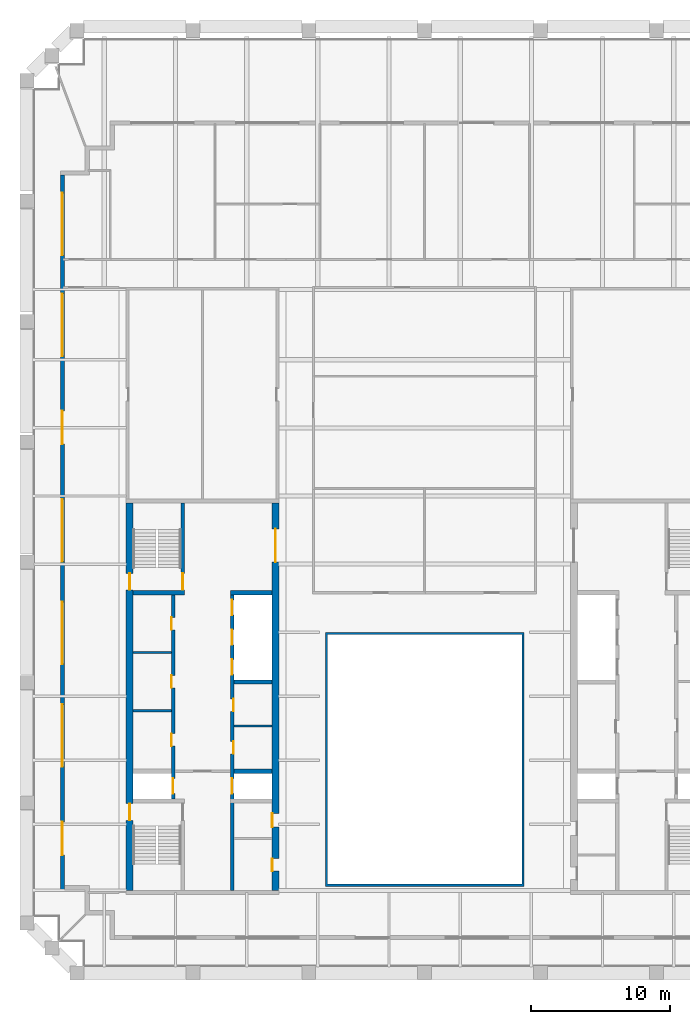
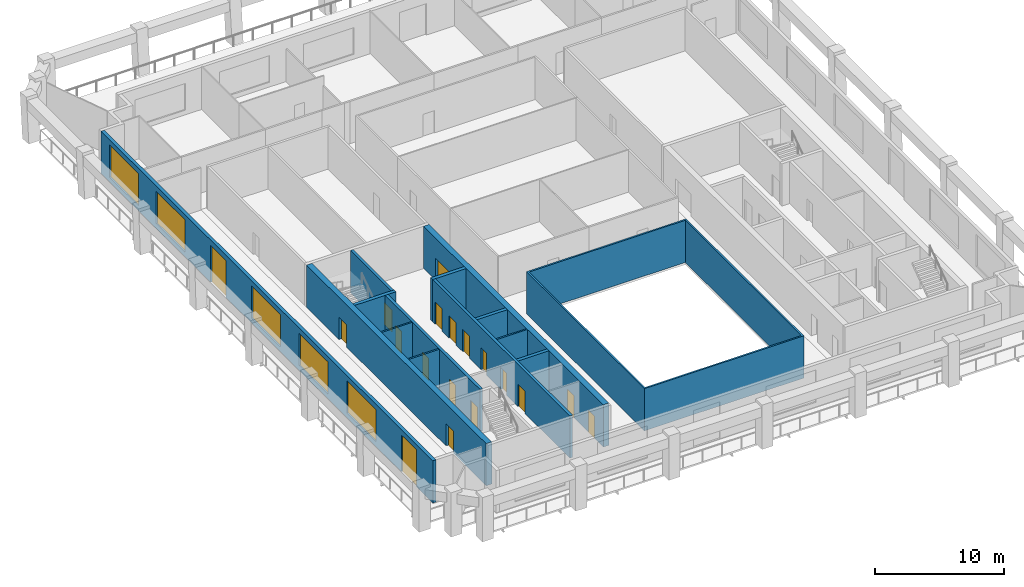
# One storey, part 3 of 9: 18 doors, 14 walls, 5 windows, 23 openings.
"""IFC4 building model written with IfcOpenShell, lengths in metres."""

from ifc_helpers import new_model, si_unit, direction, frame, frame_2d, origin, place, context, subcontext, project, spatial, polyline, rectangle, outline, extrude, material, layer, layer_set, type_object, element, fill, save


model = new_model("IFC4")

# Units and contexts
model_context = context("Model", 3, precision=1e-05, world=origin(), true_north=direction((0.0, 1.0)))
body_context = subcontext(model_context, "Body", "Model", "MODEL_VIEW")
ifc_project = project(units=[si_unit("LENGTHUNIT", "METRE"), si_unit("AREAUNIT", "SQUARE_METRE"), si_unit("VOLUMEUNIT", "CUBIC_METRE"), si_unit("PLANEANGLEUNIT", "RADIAN"), si_unit("MASSUNIT", "GRAM", prefix="KILO")], contexts=[model_context])

# Site, building, storey
site_placement = place(None, origin())
site = spatial("IfcSite", under=ifc_project, at=site_placement, CompositionType="ELEMENT")
building_placement = place(site_placement, origin())
building = spatial("IfcBuilding", under=site, at=building_placement, Name="Ogive Exchange Tower", CompositionType="ELEMENT")
storey_placement = place(building_placement, frame((0.0, 0.0, 346.800048828125)))
storey = spatial("IfcBuildingStorey", under=building, at=storey_placement, Name="L76", CompositionType="ELEMENT", Elevation=346.800048828125)

# Walls
ifc_material_1 = material(Name="Gypsum board partition")
ifc_layer_1 = layer(ifc_material_1, 0.14990234375)
ifc_layer_set_1 = layer_set([ifc_layer_1], Name="Core room partition 150 gypsum")
wall_type_1 = type_object("IfcWallType", Name="Core room partition 150 gypsum", PredefinedType="PARTITIONING", material=ifc_layer_set_1)
for number, where, z_axis, x_axis, name in (
    (1, (-21.0, 10.5, 0.0), (0.0, 0.0, 1.0), (1.0, 0.0, 0.0), "W row A bay partition 1-1"),
    (2, (-21.0, 14.699951171875, 0.0), (0.0, 0.0, 1.0), (1.0, 0.0, 0.0), "W row A bay partition 1-2"),
    (3, (-13.75, 9.39990234375, 0.0), (0.0, 0.0, 1.0), (1.0, 0.0, 0.0), "W row B bay partition 1-1"),
):
    element("IfcWall", number, at=place(storey_placement, frame(where, z_axis=z_axis, x_axis=x_axis)), inside=storey, type_object=wall_type_1, Name=name, PredefinedType="PARTITIONING", context=body_context, shape_type="SweptSolid", body=[
        extrude(rectangle(XDim=2.75, YDim=0.14990234375, at=frame_2d((1.375, 0.0))), origin(), (0.0, 0.0, 1.0), 4.0),
    ])
ifc_material_2 = material(Name="Fire-resisting glass in steel frame", Category="steel")
ifc_layer_2 = layer(ifc_material_2, 0.14990234375)
ifc_layer_set_2 = layer_set([ifc_layer_2], Name="Fire-rated glazed wall 150")
wall_type_2 = type_object("IfcWallType", Name="Fire-rated glazed wall 150", PredefinedType="STANDARD", material=ifc_layer_set_2)
wall_1_placement = place(storey_placement, origin())
element("IfcWall", 4, at=wall_1_placement, inside=storey, type_object=wall_type_2, Name="Nave enclosure wall", PredefinedType="STANDARD", context=body_context, shape_type="SweptSolid", body=[
    extrude(outline(polyline([(-7.14990234375, -2.14990234375), (7.14990234375, -2.14990234375), (7.14990234375, 16.14990234375), (-7.14990234375, 16.14990234375), (-7.14990234375, -2.14990234375)]), holes=[polyline([(-7.0, -2.0), (-7.0, 16.0), (7.0, 16.0), (7.0, -2.0), (-7.0, -2.0)])]), origin(), (0.0, 0.0, 1.0), 4.0),
])

# Wall, openings, doors, windows
ifc_material_3 = material(Name="Precast concrete C40/50", Category="concrete")
ifc_layer_3 = layer(ifc_material_3, 0.300048828125)
ifc_layer_set_3 = layer_set([ifc_layer_3], Name="Limestone-faced wall 300")
wall_type_3 = type_object("IfcWallType", Name="Limestone-faced wall 300", PredefinedType="STANDARD", material=ifc_layer_set_3)
wall_2_placement = place(storey_placement, frame((-26.10009765625, 49.10009765625, 0.0), z_axis=(0.0, 0.0, 1.0), x_axis=(0.0, -1.0, 0.0)))
wall_2 = element("IfcWall", 5, at=wall_2_placement, inside=storey, type_object=wall_type_3, Name="External wall W4", PredefinedType="STANDARD", context=body_context, shape_type="SweptSolid", body=[
    extrude(rectangle(XDim=51.5, YDim=0.300048828125, at=frame_2d((25.75, 0.0))), origin(), (0.0, 0.0, 1.0), 4.0),
])
opening_1_placement = place(wall_2_placement, frame((1.300048828125, 0.0, 0.449951171875)))
opening_1 = element("IfcOpeningElement", 6, at=opening_1_placement, cuts=wall_2, Name="Opening W1", PredefinedType="OPENING", context=body_context, shape_type="SweptSolid", body=[
    extrude(rectangle(XDim=4.5, YDim=3.050048828125, at=frame_2d((2.25, 1.52490234375))), frame((0.0, 0.159912109375, 0.0), z_axis=(0.0, -1.0, 0.0), x_axis=(1.0, 0.0, 0.0)), (0.0, 0.0, 1.0), 0.320068359375),
])
opening_2_placement = place(wall_2_placement, frame((8.550048828125, 0.0, 0.449951171875)))
opening_2 = element("IfcOpeningElement", 7, at=opening_2_placement, cuts=wall_2, Name="Opening W1", PredefinedType="OPENING", context=body_context, shape_type="SweptSolid", body=[
    extrude(rectangle(XDim=4.5, YDim=3.050048828125, at=frame_2d((2.25, 1.52490234375))), frame((0.0, 0.159912109375, 0.0), z_axis=(0.0, -1.0, 0.0), x_axis=(1.0, 0.0, 0.0)), (0.0, 0.0, 1.0), 0.320068359375),
])
opening_3_placement = place(wall_2_placement, frame((17.0, 0.0, 0.0)))
opening_3 = element("IfcOpeningElement", 8, at=opening_3_placement, cuts=wall_2, Name="Opening D1", PredefinedType="OPENING", context=body_context, shape_type="SweptSolid", body=[
    extrude(rectangle(XDim=2.39990234375, YDim=3.5, at=frame_2d((1.199951171875, 1.75))), frame((0.0, 0.159912109375, 0.0), z_axis=(0.0, -1.0, 0.0), x_axis=(1.0, 0.0, 0.0)), (0.0, 0.0, 1.0), 0.320068359375),
])
opening_4_placement = place(wall_2_placement, frame((23.35009765625, 0.0, 0.449951171875)))
opening_4 = element("IfcOpeningElement", 9, at=opening_4_placement, cuts=wall_2, Name="Opening W1", PredefinedType="OPENING", context=body_context, shape_type="SweptSolid", body=[
    extrude(rectangle(XDim=4.5, YDim=3.050048828125, at=frame_2d((2.25, 1.52490234375))), frame((0.0, 0.159912109375, 0.0), z_axis=(0.0, -1.0, 0.0), x_axis=(1.0, 0.0, 0.0)), (0.0, 0.0, 1.0), 0.320068359375),
])
opening_5_placement = place(wall_2_placement, frame((30.75, 0.0, 0.449951171875)))
opening_5 = element("IfcOpeningElement", 10, at=opening_5_placement, cuts=wall_2, Name="Opening W1", PredefinedType="OPENING", context=body_context, shape_type="SweptSolid", body=[
    extrude(rectangle(XDim=4.5, YDim=3.050048828125, at=frame_2d((2.25, 1.52490234375))), frame((0.0, 0.159912109375, 0.0), z_axis=(0.0, -1.0, 0.0), x_axis=(1.0, 0.0, 0.0)), (0.0, 0.0, 1.0), 0.320068359375),
])
opening_6_placement = place(wall_2_placement, frame((38.14990234375, 0.0, 0.449951171875)))
opening_6 = element("IfcOpeningElement", 11, at=opening_6_placement, cuts=wall_2, Name="Opening W1", PredefinedType="OPENING", context=body_context, shape_type="SweptSolid", body=[
    extrude(rectangle(XDim=4.5, YDim=3.050048828125, at=frame_2d((2.25, 1.52490234375))), frame((0.0, 0.159912109375, 0.0), z_axis=(0.0, -1.0, 0.0), x_axis=(1.0, 0.0, 0.0)), (0.0, 0.0, 1.0), 0.320068359375),
])
opening_7_placement = place(wall_2_placement, frame((46.60009765625, 0.0, 0.0)))
opening_7 = element("IfcOpeningElement", 12, at=opening_7_placement, cuts=wall_2, Name="Opening D1", PredefinedType="OPENING", context=body_context, shape_type="SweptSolid", body=[
    extrude(rectangle(XDim=2.39990234375, YDim=3.5, at=frame_2d((1.199951171875, 1.75))), frame((0.0, 0.159912109375, 0.0), z_axis=(0.0, -1.0, 0.0), x_axis=(1.0, 0.0, 0.0)), (0.0, 0.0, 1.0), 0.320068359375),
])
ifc_material_4 = material(Name="Clear glass in bronze frame", Category="glass")
door_type_1 = type_object("IfcDoorType", Name="Sliding loggia door 2400 x 3500", OperationType="DOUBLE_DOOR_SLIDING", PredefinedType="DOOR", material=ifc_material_4)
door_1_placement = place(opening_3_placement, origin())
door_1 = element("IfcDoor", 13, at=door_1_placement, inside=storey, type_object=door_type_1, Name="Loggia door W02", OperationType="DOUBLE_DOOR_SLIDING", OverallHeight=3.5, OverallWidth=2.39990234375, PredefinedType="DOOR", context=body_context, shape_type="SweptSolid", body=[
    extrude(rectangle(XDim=2.39990234375, YDim=3.5, at=frame_2d((1.199951171875, 1.75))), frame((0.0, 0.02490234375, 0.0), z_axis=(0.0, -1.0, 0.0), x_axis=(1.0, 0.0, 0.0)), (0.0, 0.0, 1.0), 0.050048828125),
])
fill(opening_3, door_1)
door_2_placement = place(opening_7_placement, origin())
door_2 = element("IfcDoor", 14, at=door_2_placement, inside=storey, type_object=door_type_1, Name="Loggia door W06", OperationType="DOUBLE_DOOR_SLIDING", OverallHeight=3.5, OverallWidth=2.39990234375, PredefinedType="DOOR", context=body_context, shape_type="SweptSolid", body=[
    extrude(rectangle(XDim=2.39990234375, YDim=3.5, at=frame_2d((1.199951171875, 1.75))), frame((0.0, 0.02490234375, 0.0), z_axis=(0.0, -1.0, 0.0), x_axis=(1.0, 0.0, 0.0)), (0.0, 0.0, 1.0), 0.050048828125),
])
fill(opening_7, door_2)
window_type = type_object("IfcWindowType", Name="Twin lancet window 4500 x 3050", PartitioningType="DOUBLE_PANEL_VERTICAL", PredefinedType="WINDOW", material=ifc_material_4)
window_1_placement = place(opening_1_placement, origin())
window_1 = element("IfcWindow", 15, at=window_1_placement, inside=storey, type_object=window_type, Name="Window W00", OverallHeight=3.050048828125, OverallWidth=4.5, PartitioningType="DOUBLE_PANEL_VERTICAL", PredefinedType="WINDOW", context=body_context, shape_type="SweptSolid", body=[
    extrude(rectangle(XDim=4.5, YDim=3.050048828125, at=frame_2d((2.25, 1.52490234375))), frame((0.0, 0.030029296875, 0.0), z_axis=(0.0, -1.0, 0.0), x_axis=(1.0, 0.0, 0.0)), (0.0, 0.0, 1.0), 0.06005859375),
])
fill(opening_1, window_1)
window_2_placement = place(opening_2_placement, origin())
window_2 = element("IfcWindow", 16, at=window_2_placement, inside=storey, type_object=window_type, Name="Window W01", OverallHeight=3.050048828125, OverallWidth=4.5, PartitioningType="DOUBLE_PANEL_VERTICAL", PredefinedType="WINDOW", context=body_context, shape_type="SweptSolid", body=[
    extrude(rectangle(XDim=4.5, YDim=3.050048828125, at=frame_2d((2.25, 1.52490234375))), frame((0.0, 0.030029296875, 0.0), z_axis=(0.0, -1.0, 0.0), x_axis=(1.0, 0.0, 0.0)), (0.0, 0.0, 1.0), 0.06005859375),
])
fill(opening_2, window_2)
window_3_placement = place(opening_4_placement, origin())
window_3 = element("IfcWindow", 17, at=window_3_placement, inside=storey, type_object=window_type, Name="Window W03", OverallHeight=3.050048828125, OverallWidth=4.5, PartitioningType="DOUBLE_PANEL_VERTICAL", PredefinedType="WINDOW", context=body_context, shape_type="SweptSolid", body=[
    extrude(rectangle(XDim=4.5, YDim=3.050048828125, at=frame_2d((2.25, 1.52490234375))), frame((0.0, 0.030029296875, 0.0), z_axis=(0.0, -1.0, 0.0), x_axis=(1.0, 0.0, 0.0)), (0.0, 0.0, 1.0), 0.06005859375),
])
fill(opening_4, window_3)
window_4_placement = place(opening_5_placement, origin())
window_4 = element("IfcWindow", 18, at=window_4_placement, inside=storey, type_object=window_type, Name="Window W04", OverallHeight=3.050048828125, OverallWidth=4.5, PartitioningType="DOUBLE_PANEL_VERTICAL", PredefinedType="WINDOW", context=body_context, shape_type="SweptSolid", body=[
    extrude(rectangle(XDim=4.5, YDim=3.050048828125, at=frame_2d((2.25, 1.52490234375))), frame((0.0, 0.030029296875, 0.0), z_axis=(0.0, -1.0, 0.0), x_axis=(1.0, 0.0, 0.0)), (0.0, 0.0, 1.0), 0.06005859375),
])
fill(opening_5, window_4)
window_5_placement = place(opening_6_placement, origin())
window_5 = element("IfcWindow", 19, at=window_5_placement, inside=storey, type_object=window_type, Name="Window W05", OverallHeight=3.050048828125, OverallWidth=4.5, PartitioningType="DOUBLE_PANEL_VERTICAL", PredefinedType="WINDOW", context=body_context, shape_type="SweptSolid", body=[
    extrude(rectangle(XDim=4.5, YDim=3.050048828125, at=frame_2d((2.25, 1.52490234375))), frame((0.0, 0.030029296875, 0.0), z_axis=(0.0, -1.0, 0.0), x_axis=(1.0, 0.0, 0.0)), (0.0, 0.0, 1.0), 0.06005859375),
])
fill(opening_6, window_5)

# Wall, opening, door
ifc_material_5 = material(Name="Concrete C70/85", Category="concrete")
ifc_layer_4 = layer(ifc_material_5, 0.25)
ifc_layer_set_4 = layer_set([ifc_layer_4], Name="RC core wall 250 C70/85")
wall_type_4 = type_object("IfcWallType", Name="RC core wall 250 C70/85", PredefinedType="SHEAR", material=ifc_layer_set_4)
wall_3_placement = place(storey_placement, frame((-17.425048828125, 19.14990234375, 0.0), z_axis=(0.0, 0.0, 1.0), x_axis=(0.0, 1.0, 0.0)))
wall_3 = element("IfcWall", 20, at=wall_3_placement, inside=storey, type_object=wall_type_4, Name="W stair N front wall", PredefinedType="SHEAR", context=body_context, shape_type="SweptSolid", body=[
    extrude(rectangle(XDim=6.300048828125, YDim=0.25, at=frame_2d((3.14990234375, 0.0))), origin(), (0.0, 0.0, 1.0), 4.0),
])
opening_8_placement = place(wall_3_placement, frame((0.050048828125, 0.0, 0.0)))
opening_8 = element("IfcOpeningElement", 21, at=opening_8_placement, cuts=wall_3, Name="Opening L76-C15", PredefinedType="OPENING", context=body_context, shape_type="SweptSolid", body=[
    extrude(rectangle(XDim=1.199951171875, YDim=2.10009765625, at=frame_2d((0.60009765625, 1.050048828125))), frame((0.0, 0.135009765625, 0.0), z_axis=(0.0, -1.0, 0.0), x_axis=(1.0, 0.0, 0.0)), (0.0, 0.0, 1.0), 0.27001953125),
])
ifc_material_6 = material(Name="Steel fire door", Category="steel")
door_type_2 = type_object("IfcDoorType", Name="Stair door FD90 1200 x 2100", OperationType="NOTDEFINED", PredefinedType="DOOR", material=ifc_material_6)
door_3_placement = place(opening_8_placement, origin())
door_3 = element("IfcDoor", 22, at=door_3_placement, inside=storey, type_object=door_type_2, Name="Stair door", ObjectType="CD5", OperationType="SINGLE_SWING_RIGHT", OverallHeight=2.10009765625, OverallWidth=1.199951171875, PredefinedType="DOOR", context=body_context, shape_type="SweptSolid", body=[
    extrude(rectangle(XDim=1.199951171875, YDim=2.10009765625, at=frame_2d((0.60009765625, 1.050048828125))), frame((0.0, 0.02490234375, 0.0), z_axis=(0.0, -1.0, 0.0), x_axis=(1.0, 0.0, 0.0)), (0.0, 0.0, 1.0), 0.050048828125),
])
fill(opening_8, door_3)

# Wall, openings, doors
wall_4_placement = place(storey_placement, frame((-18.125, 4.14990234375, 0.0), z_axis=(0.0, 0.0, 1.0), x_axis=(0.0, 1.0, 0.0)))
wall_4 = element("IfcWall", 23, at=wall_4_placement, inside=storey, type_object=wall_type_4, Name="W row A front wall", PredefinedType="SHEAR", context=body_context, shape_type="SweptSolid", body=[
    extrude(rectangle(XDim=14.7001953125, YDim=0.25, at=frame_2d((7.35009765625, 0.0))), origin(), (0.0, 0.0, 1.0), 4.0),
])
opening_9_placement = place(wall_4_placement, frame((3.79638671875, 0.0, 0.0)))
opening_9 = element("IfcOpeningElement", 24, at=opening_9_placement, cuts=wall_4, Name="Opening L76-C01", PredefinedType="OPENING", context=body_context, shape_type="SweptSolid", body=[
    extrude(rectangle(XDim=0.89990234375, YDim=2.10009765625, at=frame_2d((0.449951171875, 1.050048828125))), frame((0.0, 0.135009765625, 0.0), z_axis=(0.0, -1.0, 0.0), x_axis=(1.0, 0.0, 0.0)), (0.0, 0.0, 1.0), 0.27001953125),
])
opening_10_placement = place(wall_4_placement, frame((8.0, 0.0, 0.0)))
opening_10 = element("IfcOpeningElement", 25, at=opening_10_placement, cuts=wall_4, Name="Opening L76-C02", PredefinedType="OPENING", context=body_context, shape_type="SweptSolid", body=[
    extrude(rectangle(XDim=0.89990234375, YDim=2.10009765625, at=frame_2d((0.449951171875, 1.050048828125))), frame((0.0, 0.135009765625, 0.0), z_axis=(0.0, -1.0, 0.0), x_axis=(1.0, 0.0, 0.0)), (0.0, 0.0, 1.0), 0.27001953125),
])
opening_11_placement = place(wall_4_placement, frame((12.175048828125, 0.0, 0.0)))
opening_11 = element("IfcOpeningElement", 26, at=opening_11_placement, cuts=wall_4, Name="Opening L76-C03", PredefinedType="OPENING", context=body_context, shape_type="SweptSolid", body=[
    extrude(rectangle(XDim=0.89990234375, YDim=2.10009765625, at=frame_2d((0.449951171875, 1.050048828125))), frame((0.0, 0.135009765625, 0.0), z_axis=(0.0, -1.0, 0.0), x_axis=(1.0, 0.0, 0.0)), (0.0, 0.0, 1.0), 0.27001953125),
])
opening_12_placement = place(wall_4_placement, frame((0.371337890625, 0.0, 0.0)))
opening_12 = element("IfcOpeningElement", 27, at=opening_12_placement, cuts=wall_4, Name="Opening L76-C04", PredefinedType="OPENING", context=body_context, shape_type="SweptSolid", body=[
    extrude(rectangle(XDim=1.10009765625, YDim=2.10009765625, at=frame_2d((0.550048828125, 1.050048828125))), frame((0.0, 0.135009765625, 0.0), z_axis=(0.0, -1.0, 0.0), x_axis=(1.0, 0.0, 0.0)), (0.0, 0.0, 1.0), 0.27001953125),
])
ifc_material_7 = material(Name="Timber fire door", Category="wood")
door_type_3 = type_object("IfcDoorType", Name="Core room door FD30S 900 x 2100", OperationType="NOTDEFINED", PredefinedType="DOOR", material=ifc_material_7)
door_4_placement = place(opening_10_placement, origin())
door_4 = element("IfcDoor", 28, at=door_4_placement, inside=storey, type_object=door_type_3, Name="Core room door", ObjectType="CD6", OperationType="SINGLE_SWING_LEFT", OverallHeight=2.10009765625, OverallWidth=0.89990234375, PredefinedType="DOOR", context=body_context, shape_type="SweptSolid", body=[
    extrude(rectangle(XDim=0.89990234375, YDim=2.10009765625, at=frame_2d((0.449951171875, 1.050048828125))), frame((0.0, 0.125, 0.0), z_axis=(0.0, -1.0, 0.0), x_axis=(1.0, 0.0, 0.0)), (0.0, 0.0, 1.0), 0.050048828125),
])
fill(opening_10, door_4)
ifc_material_8 = material(Name="Stainless steel", Category="steel")
door_type_4 = type_object("IfcDoorType", Name="Lift landing door FD90 1100 x 2100", OperationType="SLIDING_TO_LEFT", PredefinedType="DOOR", material=ifc_material_8)
door_5_placement = place(opening_12_placement, origin())
door_5 = element("IfcDoor", 29, at=door_5_placement, inside=storey, type_object=door_type_4, Name="Lift landing door FF1", ObjectType="LD", OperationType="SLIDING_TO_LEFT", OverallHeight=2.10009765625, OverallWidth=1.10009765625, PredefinedType="DOOR", context=body_context, shape_type="SweptSolid", body=[
    extrude(rectangle(XDim=1.10009765625, YDim=2.10009765625, at=frame_2d((0.550048828125, 1.050048828125))), frame((0.0, 0.02490234375, 0.0), z_axis=(0.0, -1.0, 0.0), x_axis=(1.0, 0.0, 0.0)), (0.0, 0.0, 1.0), 0.050048828125),
])
fill(opening_12, door_5)
door_type_5 = type_object("IfcDoorType", Name="Riser door FD60 900 x 2100", OperationType="NOTDEFINED", PredefinedType="DOOR", material=ifc_material_6)
door_6_placement = place(opening_9_placement, origin())
door_6 = element("IfcDoor", 30, at=door_6_placement, inside=storey, type_object=door_type_5, Name="Riser door", ObjectType="CD2", OperationType="SINGLE_SWING_LEFT", OverallHeight=2.10009765625, OverallWidth=0.89990234375, PredefinedType="DOOR", context=body_context, shape_type="SweptSolid", body=[
    extrude(rectangle(XDim=0.89990234375, YDim=2.10009765625, at=frame_2d((0.449951171875, 1.050048828125))), frame((0.0, 0.125, 0.0), z_axis=(0.0, -1.0, 0.0), x_axis=(1.0, 0.0, 0.0)), (0.0, 0.0, 1.0), 0.050048828125),
])
fill(opening_9, door_6)
door_7_placement = place(opening_11_placement, origin())
door_7 = element("IfcDoor", 31, at=door_7_placement, inside=storey, type_object=door_type_5, Name="Riser door", ObjectType="CD2", OperationType="SINGLE_SWING_LEFT", OverallHeight=2.10009765625, OverallWidth=0.89990234375, PredefinedType="DOOR", context=body_context, shape_type="SweptSolid", body=[
    extrude(rectangle(XDim=0.89990234375, YDim=2.10009765625, at=frame_2d((0.449951171875, 1.050048828125))), frame((0.0, 0.125, 0.0), z_axis=(0.0, -1.0, 0.0), x_axis=(1.0, 0.0, 0.0)), (0.0, 0.0, 1.0), 0.050048828125),
])
fill(opening_11, door_7)

wall_5_placement = place(storey_placement, frame((-13.875, -2.449951171875, 0.0), z_axis=(0.0, 0.0, 1.0), x_axis=(0.0, 1.0, 0.0)))
wall_5 = element("IfcWall", 32, at=wall_5_placement, inside=storey, type_object=wall_type_4, Name="W row B front wall", PredefinedType="SHEAR", context=body_context, shape_type="SweptSolid", body=[
    extrude(rectangle(XDim=21.300048828125, YDim=0.25, at=frame_2d((10.64990234375, 0.0))), origin(), (0.0, 0.0, 1.0), 4.0),
])
opening_13_placement = place(wall_5_placement, frame((9.846435546875, 0.0, 0.0)))
opening_13 = element("IfcOpeningElement", 33, at=opening_13_placement, cuts=wall_5, Name="Opening L76-C05", PredefinedType="OPENING", context=body_context, shape_type="SweptSolid", body=[
    extrude(rectangle(XDim=0.89990234375, YDim=2.10009765625, at=frame_2d((0.449951171875, 1.050048828125))), frame((0.0, 0.135009765625, 0.0), z_axis=(0.0, -1.0, 0.0), x_axis=(1.0, 0.0, 0.0)), (0.0, 0.0, 1.0), 0.27001953125),
])
opening_14_placement = place(wall_5_placement, frame((12.91064453125, 0.0, 0.0)))
opening_14 = element("IfcOpeningElement", 34, at=opening_14_placement, cuts=wall_5, Name="Opening L76-C06", PredefinedType="OPENING", context=body_context, shape_type="SweptSolid", body=[
    extrude(rectangle(XDim=0.89990234375, YDim=2.10009765625, at=frame_2d((0.449951171875, 1.050048828125))), frame((0.0, 0.135009765625, 0.0), z_axis=(0.0, -1.0, 0.0), x_axis=(1.0, 0.0, 0.0)), (0.0, 0.0, 1.0), 0.27001953125),
])
opening_15_placement = place(wall_5_placement, frame((6.971435546875, 0.0, 0.0)))
opening_15 = element("IfcOpeningElement", 35, at=opening_15_placement, cuts=wall_5, Name="Opening L76-C07", PredefinedType="OPENING", context=body_context, shape_type="SweptSolid", body=[
    extrude(rectangle(XDim=1.10009765625, YDim=2.10009765625, at=frame_2d((0.550048828125, 1.050048828125))), frame((0.0, 0.135009765625, 0.0), z_axis=(0.0, -1.0, 0.0), x_axis=(1.0, 0.0, 0.0)), (0.0, 0.0, 1.0), 0.27001953125),
])
opening_16_placement = place(wall_5_placement, frame((15.54296875, 0.0, 0.0)))
opening_16 = element("IfcOpeningElement", 36, at=opening_16_placement, cuts=wall_5, Name="Opening L76-C08", PredefinedType="OPENING", context=body_context, shape_type="SweptSolid", body=[
    extrude(rectangle(XDim=1.10009765625, YDim=2.10009765625, at=frame_2d((0.550048828125, 1.050048828125))), frame((0.0, 0.135009765625, 0.0), z_axis=(0.0, -1.0, 0.0), x_axis=(1.0, 0.0, 0.0)), (0.0, 0.0, 1.0), 0.27001953125),
])
opening_17_placement = place(wall_5_placement, frame((17.685791015625, 0.0, 0.0)))
opening_17 = element("IfcOpeningElement", 37, at=opening_17_placement, cuts=wall_5, Name="Opening L76-C09", PredefinedType="OPENING", context=body_context, shape_type="SweptSolid", body=[
    extrude(rectangle(XDim=1.10009765625, YDim=2.10009765625, at=frame_2d((0.550048828125, 1.050048828125))), frame((0.0, 0.135009765625, 0.0), z_axis=(0.0, -1.0, 0.0), x_axis=(1.0, 0.0, 0.0)), (0.0, 0.0, 1.0), 0.27001953125),
])
opening_18_placement = place(wall_5_placement, frame((19.82861328125, 0.0, 0.0)))
opening_18 = element("IfcOpeningElement", 38, at=opening_18_placement, cuts=wall_5, Name="Opening L76-C10", PredefinedType="OPENING", context=body_context, shape_type="SweptSolid", body=[
    extrude(rectangle(XDim=1.10009765625, YDim=2.10009765625, at=frame_2d((0.550048828125, 1.050048828125))), frame((0.0, 0.135009765625, 0.0), z_axis=(0.0, -1.0, 0.0), x_axis=(1.0, 0.0, 0.0)), (0.0, 0.0, 1.0), 0.27001953125),
])
door_8_placement = place(opening_13_placement, frame((0.89990234375, -0.2001953125, 0.0), z_axis=(0.0, 0.0, 1.0), x_axis=(-1.0, 0.0, 0.0)))
door_8 = element("IfcDoor", 39, at=door_8_placement, inside=storey, type_object=door_type_3, Name="Core room door", ObjectType="CD6", OperationType="SINGLE_SWING_LEFT", OverallHeight=2.10009765625, OverallWidth=0.89990234375, PredefinedType="DOOR", context=body_context, shape_type="SweptSolid", body=[
    extrude(rectangle(XDim=0.89990234375, YDim=2.10009765625, at=frame_2d((0.449951171875, 1.050048828125))), frame((0.0, -0.0751953125, 0.0), z_axis=(0.0, -1.0, 0.0), x_axis=(1.0, 0.0, 0.0)), (0.0, 0.0, 1.0), 0.050048828125),
])
fill(opening_13, door_8)
door_9_placement = place(opening_15_placement, origin())
door_9 = element("IfcDoor", 40, at=door_9_placement, inside=storey, type_object=door_type_4, Name="Lift landing door SV1", ObjectType="LD", OperationType="SLIDING_TO_LEFT", OverallHeight=2.10009765625, OverallWidth=1.10009765625, PredefinedType="DOOR", context=body_context, shape_type="SweptSolid", body=[
    extrude(rectangle(XDim=1.10009765625, YDim=2.10009765625, at=frame_2d((0.550048828125, 1.050048828125))), frame((0.0, 0.02490234375, 0.0), z_axis=(0.0, -1.0, 0.0), x_axis=(1.0, 0.0, 0.0)), (0.0, 0.0, 1.0), 0.050048828125),
])
fill(opening_15, door_9)
door_10_placement = place(opening_16_placement, origin())
door_10 = element("IfcDoor", 41, at=door_10_placement, inside=storey, type_object=door_type_4, Name="Lift landing door W-H1", ObjectType="LD", OperationType="SLIDING_TO_LEFT", OverallHeight=2.10009765625, OverallWidth=1.10009765625, PredefinedType="DOOR", context=body_context, shape_type="SweptSolid", body=[
    extrude(rectangle(XDim=1.10009765625, YDim=2.10009765625, at=frame_2d((0.550048828125, 1.050048828125))), frame((0.0, 0.02490234375, 0.0), z_axis=(0.0, -1.0, 0.0), x_axis=(1.0, 0.0, 0.0)), (0.0, 0.0, 1.0), 0.050048828125),
])
fill(opening_16, door_10)
door_11_placement = place(opening_17_placement, origin())
door_11 = element("IfcDoor", 42, at=door_11_placement, inside=storey, type_object=door_type_4, Name="Lift landing door W-H2", ObjectType="LD", OperationType="SLIDING_TO_LEFT", OverallHeight=2.10009765625, OverallWidth=1.10009765625, PredefinedType="DOOR", context=body_context, shape_type="SweptSolid", body=[
    extrude(rectangle(XDim=1.10009765625, YDim=2.10009765625, at=frame_2d((0.550048828125, 1.050048828125))), frame((0.0, 0.02490234375, 0.0), z_axis=(0.0, -1.0, 0.0), x_axis=(1.0, 0.0, 0.0)), (0.0, 0.0, 1.0), 0.050048828125),
])
fill(opening_17, door_11)
door_12_placement = place(opening_18_placement, origin())
door_12 = element("IfcDoor", 43, at=door_12_placement, inside=storey, type_object=door_type_4, Name="Lift landing door W-H3", ObjectType="LD", OperationType="SLIDING_TO_LEFT", OverallHeight=2.10009765625, OverallWidth=1.10009765625, PredefinedType="DOOR", context=body_context, shape_type="SweptSolid", body=[
    extrude(rectangle(XDim=1.10009765625, YDim=2.10009765625, at=frame_2d((0.550048828125, 1.050048828125))), frame((0.0, 0.02490234375, 0.0), z_axis=(0.0, -1.0, 0.0), x_axis=(1.0, 0.0, 0.0)), (0.0, 0.0, 1.0), 0.050048828125),
])
fill(opening_18, door_12)
door_13_placement = place(opening_14_placement, frame((0.89990234375, -0.2001953125, 0.0), z_axis=(0.0, 0.0, 1.0), x_axis=(-1.0, 0.0, 0.0)))
door_13 = element("IfcDoor", 44, at=door_13_placement, inside=storey, type_object=door_type_5, Name="Riser door", ObjectType="CD2", OperationType="SINGLE_SWING_LEFT", OverallHeight=2.10009765625, OverallWidth=0.89990234375, PredefinedType="DOOR", context=body_context, shape_type="SweptSolid", body=[
    extrude(rectangle(XDim=0.89990234375, YDim=2.10009765625, at=frame_2d((0.449951171875, 1.050048828125))), frame((0.0, -0.0751953125, 0.0), z_axis=(0.0, -1.0, 0.0), x_axis=(1.0, 0.0, 0.0)), (0.0, 0.0, 1.0), 0.050048828125),
])
fill(opening_14, door_13)

# Walls
ifc_layer_5 = layer(ifc_material_5, 0.300048828125)
ifc_layer_set_5 = layer_set([ifc_layer_5], Name="RC core wall 300 C70/85")
wall_type_5 = type_object("IfcWallType", Name="RC core wall 300 C70/85", PredefinedType="SHEAR", material=ifc_layer_set_5)
wall_6_placement = place(storey_placement, frame((-21.0, 19.0, 0.0), z_axis=(0.0, 0.0, 1.0), x_axis=(1.0, 0.0, 0.0)))
element("IfcWall", 45, at=wall_6_placement, inside=storey, type_object=wall_type_5, Name="W stair N south wall", PredefinedType="SHEAR", context=body_context, shape_type="SweptSolid", body=[
    extrude(rectangle(XDim=3.699951171875, YDim=0.300048828125, at=frame_2d((1.85009765625, 0.0))), origin(), (0.0, 0.0, 1.0), 4.0),
])
for number, where, z_axis, x_axis, name in (
    (46, (-13.75, 6.142822265625, 0.0), (0.0, 0.0, 1.0), (1.0, 0.0, 0.0), "W row B divider 1"),
    (47, (-13.75, 12.5712890625, 0.0), (0.0, 0.0, 1.0), (1.0, 0.0, 0.0), "W row B divider 4"),
):
    element("IfcWall", number, at=place(storey_placement, frame(where, z_axis=z_axis, x_axis=x_axis)), inside=storey, type_object=wall_type_5, Name=name, PredefinedType="SHEAR", context=body_context, shape_type="SweptSolid", body=[
        extrude(rectangle(XDim=2.75, YDim=0.300048828125, at=frame_2d((1.375, 0.0))), origin(), (0.0, 0.0, 1.0), 4.0),
    ])
wall_7_placement = place(storey_placement, frame((-14.0, 19.0, 0.0), z_axis=(0.0, 0.0, 1.0), x_axis=(1.0, 0.0, 0.0)))
element("IfcWall", 48, at=wall_7_placement, inside=storey, type_object=wall_type_5, Name="W row B divider 7", PredefinedType="SHEAR", context=body_context, shape_type="SweptSolid", body=[
    extrude(rectangle(XDim=3.0, YDim=0.300048828125, at=frame_2d((1.5, 0.0))), origin(), (0.0, 0.0, 1.0), 4.0),
])

# Wall, openings, doors
ifc_layer_6 = layer(ifc_material_5, 0.5)
ifc_layer_set_6 = layer_set([ifc_layer_6], Name="RC core wall 500 C70/85")
wall_type_6 = type_object("IfcWallType", Name="RC core wall 500 C70/85", PredefinedType="SHEAR", material=ifc_layer_set_6)
wall_8_placement = place(storey_placement, frame((-21.25, -2.449951171875, 0.0), z_axis=(0.0, 0.0, 1.0), x_axis=(0.0, 1.0, 0.0)))
wall_8 = element("IfcWall", 49, at=wall_8_placement, inside=storey, type_object=wall_type_6, Name="W outer wall", PredefinedType="SHEAR", context=body_context, shape_type="SweptSolid", body=[
    extrude(rectangle(XDim=27.89990234375, YDim=0.5, at=frame_2d((13.949951171875, 0.0))), origin(), (0.0, 0.0, 1.0), 4.0),
])
opening_19_placement = place(wall_8_placement, frame((5.050048828125, 0.0, 0.0)))
opening_19 = element("IfcOpeningElement", 50, at=opening_19_placement, cuts=wall_8, Name="Opening L76-C14", PredefinedType="OPENING", context=body_context, shape_type="SweptSolid", body=[
    extrude(rectangle(XDim=1.199951171875, YDim=2.10009765625, at=frame_2d((0.60009765625, 1.050048828125))), frame((0.0, 0.260009765625, 0.0), z_axis=(0.0, -1.0, 0.0), x_axis=(1.0, 0.0, 0.0)), (0.0, 0.0, 1.0), 0.52001953125),
])
opening_20_placement = place(wall_8_placement, frame((21.64990234375, 0.0, 0.0)))
opening_20 = element("IfcOpeningElement", 51, at=opening_20_placement, cuts=wall_8, Name="Opening L76-C16", PredefinedType="OPENING", context=body_context, shape_type="SweptSolid", body=[
    extrude(rectangle(XDim=1.199951171875, YDim=2.10009765625, at=frame_2d((0.60009765625, 1.050048828125))), frame((0.0, 0.260009765625, 0.0), z_axis=(0.0, -1.0, 0.0), x_axis=(1.0, 0.0, 0.0)), (0.0, 0.0, 1.0), 0.52001953125),
])
door_14_placement = place(opening_19_placement, origin())
door_14 = element("IfcDoor", 52, at=door_14_placement, inside=storey, type_object=door_type_2, Name="Stair door", ObjectType="CD5", OperationType="SINGLE_SWING_LEFT", OverallHeight=2.10009765625, OverallWidth=1.199951171875, PredefinedType="DOOR", context=body_context, shape_type="SweptSolid", body=[
    extrude(rectangle(XDim=1.199951171875, YDim=2.10009765625, at=frame_2d((0.60009765625, 1.050048828125))), frame((0.0, 0.02490234375, 0.0), z_axis=(0.0, -1.0, 0.0), x_axis=(1.0, 0.0, 0.0)), (0.0, 0.0, 1.0), 0.050048828125),
])
fill(opening_19, door_14)
door_15_placement = place(opening_20_placement, origin())
door_15 = element("IfcDoor", 53, at=door_15_placement, inside=storey, type_object=door_type_2, Name="Stair door", ObjectType="CD5", OperationType="SINGLE_SWING_LEFT", OverallHeight=2.10009765625, OverallWidth=1.199951171875, PredefinedType="DOOR", context=body_context, shape_type="SweptSolid", body=[
    extrude(rectangle(XDim=1.199951171875, YDim=2.10009765625, at=frame_2d((0.60009765625, 1.050048828125))), frame((0.0, 0.02490234375, 0.0), z_axis=(0.0, -1.0, 0.0), x_axis=(1.0, 0.0, 0.0)), (0.0, 0.0, 1.0), 0.050048828125),
])
fill(opening_20, door_15)

wall_9_placement = place(storey_placement, frame((-10.75, -2.449951171875, 0.0), z_axis=(0.0, 0.0, 1.0), x_axis=(0.0, 1.0, 0.0)))
wall_9 = element("IfcWall", 54, at=wall_9_placement, inside=storey, type_object=wall_type_6, Name="W inner wall", PredefinedType="SHEAR", context=body_context, shape_type="SweptSolid", body=[
    extrude(rectangle(XDim=27.89990234375, YDim=0.5, at=frame_2d((13.949951171875, 0.0))), origin(), (0.0, 0.0, 1.0), 4.0),
])
opening_21_placement = place(wall_9_placement, frame((23.64990234375, 0.0, 0.0)))
opening_21 = element("IfcOpeningElement", 55, at=opening_21_placement, cuts=wall_9, Name="Opening L76-C12", PredefinedType="OPENING", context=body_context, shape_type="SweptSolid", body=[
    extrude(rectangle(XDim=2.39990234375, YDim=2.10009765625, at=frame_2d((1.199951171875, 1.050048828125))), frame((0.0, 0.260009765625, 0.0), z_axis=(0.0, -1.0, 0.0), x_axis=(1.0, 0.0, 0.0)), (0.0, 0.0, 1.0), 0.52001953125),
])
opening_22_placement = place(wall_9_placement, frame((1.387451171875, 0.0, 0.0)))
opening_22 = element("IfcOpeningElement", 56, at=opening_22_placement, cuts=wall_9, Name="Opening L76-C17", PredefinedType="OPENING", context=body_context, shape_type="SweptSolid", body=[
    extrude(rectangle(XDim=0.89990234375, YDim=2.10009765625, at=frame_2d((0.449951171875, 1.050048828125))), frame((0.0, 0.260009765625, 0.0), z_axis=(0.0, -1.0, 0.0), x_axis=(1.0, 0.0, 0.0)), (0.0, 0.0, 1.0), 0.52001953125),
])
opening_23_placement = place(wall_9_placement, frame((4.5625, 0.0, 0.0)))
opening_23 = element("IfcOpeningElement", 57, at=opening_23_placement, cuts=wall_9, Name="Opening L76-C18", PredefinedType="OPENING", context=body_context, shape_type="SweptSolid", body=[
    extrude(rectangle(XDim=1.0, YDim=2.10009765625, at=frame_2d((0.5, 1.050048828125))), frame((0.0, 0.260009765625, 0.0), z_axis=(0.0, -1.0, 0.0), x_axis=(1.0, 0.0, 0.0)), (0.0, 0.0, 1.0), 0.52001953125),
])
door_type_6 = type_object("IfcDoorType", Name="Accessible WC door FD30S 1000 x 2100", OperationType="NOTDEFINED", PredefinedType="DOOR", material=ifc_material_7)
door_16_placement = place(opening_23_placement, frame((1.0, 0.4501953125, 0.0), z_axis=(0.0, 0.0, 1.0), x_axis=(-1.0, 0.0, 0.0)))
door_16 = element("IfcDoor", 58, at=door_16_placement, inside=storey, type_object=door_type_6, Name="Accessible WC door", ObjectType="CD7", OperationType="SINGLE_SWING_LEFT", OverallHeight=2.10009765625, OverallWidth=1.0, PredefinedType="DOOR", context=body_context, shape_type="SweptSolid", body=[
    extrude(rectangle(XDim=1.0, YDim=2.10009765625, at=frame_2d((0.5, 1.050048828125))), frame((0.0, 0.25, 0.0), z_axis=(0.0, -1.0, 0.0), x_axis=(1.0, 0.0, 0.0)), (0.0, 0.0, 1.0), 0.050048828125),
])
fill(opening_23, door_16)
door_17_placement = place(opening_22_placement, frame((0.89990234375, 0.4501953125, 0.0), z_axis=(0.0, 0.0, 1.0), x_axis=(-1.0, 0.0, 0.0)))
door_17 = element("IfcDoor", 59, at=door_17_placement, inside=storey, type_object=door_type_3, Name="Core room door", ObjectType="CD6", OperationType="SINGLE_SWING_RIGHT", OverallHeight=2.10009765625, OverallWidth=0.89990234375, PredefinedType="DOOR", context=body_context, shape_type="SweptSolid", body=[
    extrude(rectangle(XDim=0.89990234375, YDim=2.10009765625, at=frame_2d((0.449951171875, 1.050048828125))), frame((0.0, 0.25, 0.0), z_axis=(0.0, -1.0, 0.0), x_axis=(1.0, 0.0, 0.0)), (0.0, 0.0, 1.0), 0.050048828125),
])
fill(opening_22, door_17)
ifc_material_9 = material(Name="Glazed steel fire door", Category="steel")
door_type_7 = type_object("IfcDoorType", Name="Lift lobby double door FD60 2400 x 2100", OperationType="DOUBLE_DOOR_SINGLE_SWING", PredefinedType="DOOR", material=ifc_material_9)
door_18_placement = place(opening_21_placement, frame((2.39990234375, 0.0, 0.0), z_axis=(0.0, 0.0, 1.0), x_axis=(-1.0, 0.0, 0.0)))
door_18 = element("IfcDoor", 60, at=door_18_placement, inside=storey, type_object=door_type_7, Name="Lift lobby double door", ObjectType="CD4", OperationType="DOUBLE_DOOR_SINGLE_SWING", OverallHeight=2.10009765625, OverallWidth=2.39990234375, PredefinedType="DOOR", context=body_context, shape_type="SweptSolid", body=[
    extrude(rectangle(XDim=2.39990234375, YDim=2.10009765625, at=frame_2d((1.199951171875, 1.050048828125))), frame((0.0, 0.02490234375, 0.0), z_axis=(0.0, -1.0, 0.0), x_axis=(1.0, 0.0, 0.0)), (0.0, 0.0, 1.0), 0.050048828125),
])
fill(opening_21, door_18)

save(model, "model.ifc")
